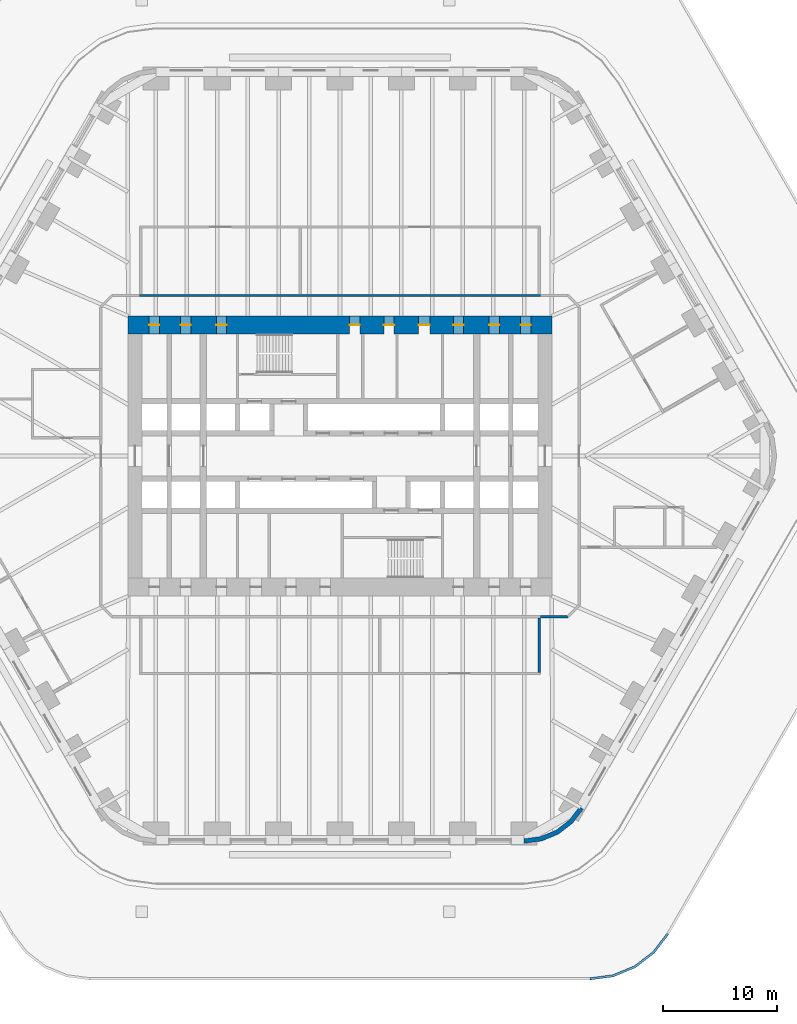
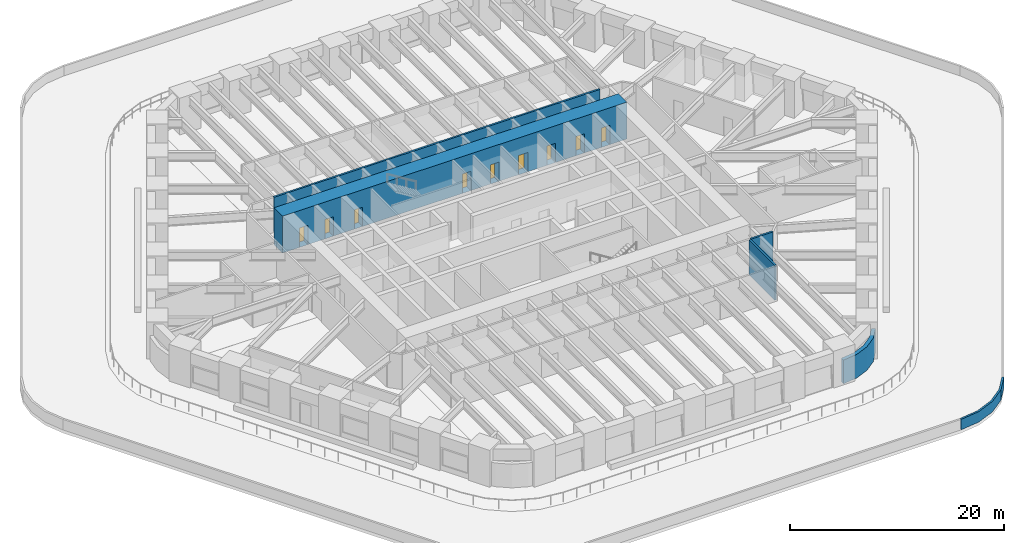
# One storey, part 11 of 17: 9 doors, 6 walls, 9 openings.
"""IFC4 building model written with IfcOpenShell, lengths in metres."""

from ifc_helpers import new_model, si_unit, direction, frame, frame_2d, origin, place, context, subcontext, project, spatial, polyline, rectangle, outline, extrude, material, layer, layer_set, type_object, element, fill, save


model = new_model("IFC4")

# Units and contexts
model_context = context("Model", 3, precision=1e-05, world=origin(), true_north=direction((0.0, 1.0)))
body_context = subcontext(model_context, "Body", "Model", "MODEL_VIEW")
ifc_project = project(units=[si_unit("LENGTHUNIT", "METRE"), si_unit("AREAUNIT", "SQUARE_METRE"), si_unit("VOLUMEUNIT", "CUBIC_METRE"), si_unit("PLANEANGLEUNIT", "RADIAN"), si_unit("MASSUNIT", "GRAM", prefix="KILO")], contexts=[model_context])

# Site, building, storey
site_placement = place(None, origin())
site = spatial("IfcSite", under=ifc_project, at=site_placement, CompositionType="ELEMENT")
building_placement = place(site_placement, origin())
building = spatial("IfcBuilding", under=site, at=building_placement, Name="Tarfa Lantern Tower", CompositionType="ELEMENT")
storey_placement = place(building_placement, frame((0.0, 0.0, 23.5)))
storey = spatial("IfcBuildingStorey", under=building, at=storey_placement, Name="L04", CompositionType="ELEMENT", Elevation=23.5)

# Walls
ifc_material_1 = material(Name="Limestone cladding on blockwork", Category="masonry")
ifc_layer_1 = layer(ifc_material_1, 0.39990234375)
ifc_layer_set_1 = layer_set([ifc_layer_1], Name="EW2 CURVED STONE CORNER 400")
wall_type_1 = type_object("IfcWallType", Name="EW2 CURVED STONE CORNER 400", PredefinedType="SOLIDWALL", material=ifc_layer_set_1)
wall_1_placement = place(storey_placement, origin())
element("IfcWall", 1, at=wall_1_placement, inside=storey, type_object=wall_type_1, Name="Stone corner S-SE", PredefinedType="SOLIDWALL", context=body_context, shape_type="SweptSolid", body=[
    extrude(outline(polyline([(16.165771484375, -34.0), (17.71875, -33.795654296875), (19.165771484375, -33.196044921875), (20.408447265625, -32.24267578125), (21.362060546875, -31.0), (21.015625, -30.800048828125), (20.12548828125, -31.959716796875), (18.9658203125, -32.849853515625), (17.615234375, -33.4091796875), (16.165771484375, -33.60009765625), (16.165771484375, -34.0)])), origin(), (0.0, 0.0, 1.0), 2.699951171875),
])
ifc_material_2 = material(Name="Gypsum board on steel studs", Category="steel")
ifc_layer_2 = layer(ifc_material_2, 0.2099609375)
ifc_layer_set_2 = layer_set([ifc_layer_2], Name="IW2 ACOUSTIC PARTITION 200")
wall_type_2 = type_object("IfcWallType", Name="IW2 ACOUSTIC PARTITION 200", PredefinedType="PARTITIONING", material=ifc_layer_set_2)
wall_2_placement = place(storey_placement, frame((-17.60009765625, 14.10009765625, 0.0), z_axis=(0.0, 0.0, 1.0), x_axis=(1.0, 0.0, 0.0)))
element("IfcWall", 2, at=wall_2_placement, inside=storey, type_object=wall_type_2, Name="Partition", PredefinedType="PARTITIONING", context=body_context, shape_type="SweptSolid", body=[
    extrude(rectangle(XDim=35.2001953125, YDim=0.199951171875, at=frame_2d((17.60009765625, 0.0))), origin(), (0.0, 0.0, 1.0), 4.0),
])
wall_3_placement = place(storey_placement, frame((17.5, -14.199951171875, 0.0), z_axis=(0.0, 0.0, 1.0), x_axis=(0.0, -1.0, 0.0)))
element("IfcWall", 3, at=wall_3_placement, inside=storey, type_object=wall_type_2, Name="Partition", PredefinedType="PARTITIONING", context=body_context, shape_type="SweptSolid", body=[
    extrude(rectangle(XDim=4.800048828125, YDim=0.199951171875, at=frame_2d((2.39990234375, 0.0))), origin(), (0.0, 0.0, 1.0), 4.0),
])
wall_4_placement = place(storey_placement, frame((20.0, -14.10009765625, 0.0), z_axis=(0.0, 0.0, 1.0), x_axis=(-1.0, 0.0, 0.0)))
element("IfcWall", 4, at=wall_4_placement, inside=storey, type_object=wall_type_2, Name="Partition", PredefinedType="PARTITIONING", context=body_context, shape_type="SweptSolid", body=[
    extrude(rectangle(XDim=2.39990234375, YDim=0.199951171875, at=frame_2d((1.199951171875, 0.0))), origin(), (0.0, 0.0, 1.0), 4.0),
])
ifc_layer_3 = layer(ifc_material_1, 0.199951171875)
ifc_layer_set_3 = layer_set([ifc_layer_3], Name="PP1 STONE PARAPET 200")
wall_type_3 = type_object("IfcWallType", Name="PP1 STONE PARAPET 200", PredefinedType="PARAPET", material=ifc_layer_set_3)
wall_5_placement = place(storey_placement, origin())
element("IfcWall", 5, at=wall_5_placement, inside=storey, type_object=wall_type_3, Name="Green roof parapet corner S-SE", PredefinedType="PARAPET", context=body_context, shape_type="SweptSolid", body=[
    extrude(outline(polyline([(21.939208984375, -46.0), (24.009765625, -45.727294921875), (25.939208984375, -44.92822265625), (27.59619140625, -43.65673828125), (28.867431640625, -42.0), (28.6943359375, -41.89990234375), (27.454833984375, -43.515380859375), (25.83935546875, -44.7548828125), (23.9580078125, -45.5341796875), (21.939208984375, -45.800048828125), (21.939208984375, -46.0)])), origin(), (0.0, 0.0, 1.0), 1.199951171875),
])

# Wall, openings, doors
ifc_material_3 = material(Name="Concrete C80/95", Category="concrete")
ifc_layer_4 = layer(ifc_material_3, 1.60009765625)
ifc_layer_set_4 = layer_set([ifc_layer_4], Name="SW7 CORE WALL 1600")
wall_type_4 = type_object("IfcWallType", Name="SW7 CORE WALL 1600", PredefinedType="SHEAR", material=ifc_layer_set_4)
wall_6_placement = place(storey_placement, frame((-18.60009765625, 11.5, 0.0), z_axis=(0.0, 0.0, 1.0), x_axis=(1.0, 0.0, 0.0)))
wall_6 = element("IfcWall", 6, at=wall_6_placement, inside=storey, type_object=wall_type_4, Name="Core wall N", PredefinedType="SHEAR", context=body_context, shape_type="SweptSolid", body=[
    extrude(rectangle(XDim=37.2001953125, YDim=1.60009765625, at=frame_2d((18.60009765625, 0.0))), origin(), (0.0, 0.0, 1.0), 4.199951171875),
])
opening_1_placement = place(wall_6_placement, frame((19.449951171875, 0.0, 0.0)))
opening_1 = element("IfcOpeningElement", 7, at=opening_1_placement, cuts=wall_6, Name="Opening D17", PredefinedType="OPENING", context=body_context, shape_type="SweptSolid", body=[
    extrude(rectangle(XDim=0.89990234375, YDim=2.199951171875, at=frame_2d((0.449951171875, 1.10009765625))), frame((0.0, 0.81005859375, 0.0), z_axis=(0.0, -1.0, 0.0), x_axis=(1.0, 0.0, 0.0)), (0.0, 0.0, 1.0), 1.6201171875),
])
opening_2_placement = place(wall_6_placement, frame((22.449951171875, 0.0, 0.0)))
opening_2 = element("IfcOpeningElement", 8, at=opening_2_placement, cuts=wall_6, Name="Opening D19", PredefinedType="OPENING", context=body_context, shape_type="SweptSolid", body=[
    extrude(rectangle(XDim=0.89990234375, YDim=2.199951171875, at=frame_2d((0.449951171875, 1.10009765625))), frame((0.0, 0.81005859375, 0.0), z_axis=(0.0, -1.0, 0.0), x_axis=(1.0, 0.0, 0.0)), (0.0, 0.0, 1.0), 1.6201171875),
])
opening_3_placement = place(wall_6_placement, frame((25.5, 0.0, 0.0)))
opening_3 = element("IfcOpeningElement", 9, at=opening_3_placement, cuts=wall_6, Name="Opening D21", PredefinedType="OPENING", context=body_context, shape_type="SweptSolid", body=[
    extrude(rectangle(XDim=1.0, YDim=2.199951171875, at=frame_2d((0.5, 1.10009765625))), frame((0.0, 0.81005859375, 0.0), z_axis=(0.0, -1.0, 0.0), x_axis=(1.0, 0.0, 0.0)), (0.0, 0.0, 1.0), 1.6201171875),
])
opening_4_placement = place(wall_6_placement, frame((1.85009765625, 0.0, 0.0)))
opening_4 = element("IfcOpeningElement", 10, at=opening_4_placement, cuts=wall_6, Name="Opening D11", PredefinedType="OPENING", context=body_context, shape_type="SweptSolid", body=[
    extrude(rectangle(XDim=0.89990234375, YDim=2.199951171875, at=frame_2d((0.449951171875, 1.10009765625))), frame((0.0, 0.81005859375, 0.0), z_axis=(0.0, -1.0, 0.0), x_axis=(1.0, 0.0, 0.0)), (0.0, 0.0, 1.0), 1.6201171875),
])
opening_5_placement = place(wall_6_placement, frame((4.60009765625, 0.0, 0.0)))
opening_5 = element("IfcOpeningElement", 11, at=opening_5_placement, cuts=wall_6, Name="Opening D07", PredefinedType="OPENING", context=body_context, shape_type="SweptSolid", body=[
    extrude(rectangle(XDim=0.89990234375, YDim=2.199951171875, at=frame_2d((0.449951171875, 1.10009765625))), frame((0.0, 0.81005859375, 0.0), z_axis=(0.0, -1.0, 0.0), x_axis=(1.0, 0.0, 0.0)), (0.0, 0.0, 1.0), 1.6201171875),
])
opening_6_placement = place(wall_6_placement, frame((7.75, 0.0, 0.0)))
opening_6 = element("IfcOpeningElement", 12, at=opening_6_placement, cuts=wall_6, Name="Opening D09", PredefinedType="OPENING", context=body_context, shape_type="SweptSolid", body=[
    extrude(rectangle(XDim=0.89990234375, YDim=2.199951171875, at=frame_2d((0.449951171875, 1.10009765625))), frame((0.0, 0.81005859375, 0.0), z_axis=(0.0, -1.0, 0.0), x_axis=(1.0, 0.0, 0.0)), (0.0, 0.0, 1.0), 1.6201171875),
])
opening_7_placement = place(wall_6_placement, frame((28.550048828125, 0.0, 0.0)))
opening_7 = element("IfcOpeningElement", 13, at=opening_7_placement, cuts=wall_6, Name="Opening D05", PredefinedType="OPENING", context=body_context, shape_type="SweptSolid", body=[
    extrude(rectangle(XDim=0.89990234375, YDim=2.199951171875, at=frame_2d((0.449951171875, 1.10009765625))), frame((0.0, 0.81005859375, 0.0), z_axis=(0.0, -1.0, 0.0), x_axis=(1.0, 0.0, 0.0)), (0.0, 0.0, 1.0), 1.6201171875),
])
opening_8_placement = place(wall_6_placement, frame((31.699951171875, 0.0, 0.0)))
opening_8 = element("IfcOpeningElement", 14, at=opening_8_placement, cuts=wall_6, Name="Opening D01", PredefinedType="OPENING", context=body_context, shape_type="SweptSolid", body=[
    extrude(rectangle(XDim=0.89990234375, YDim=2.199951171875, at=frame_2d((0.449951171875, 1.10009765625))), frame((0.0, 0.81005859375, 0.0), z_axis=(0.0, -1.0, 0.0), x_axis=(1.0, 0.0, 0.0)), (0.0, 0.0, 1.0), 1.6201171875),
])
opening_9_placement = place(wall_6_placement, frame((34.449951171875, 0.0, 0.0)))
opening_9 = element("IfcOpeningElement", 15, at=opening_9_placement, cuts=wall_6, Name="Opening D03", PredefinedType="OPENING", context=body_context, shape_type="SweptSolid", body=[
    extrude(rectangle(XDim=0.89990234375, YDim=2.199951171875, at=frame_2d((0.449951171875, 1.10009765625))), frame((0.0, 0.81005859375, 0.0), z_axis=(0.0, -1.0, 0.0), x_axis=(1.0, 0.0, 0.0)), (0.0, 0.0, 1.0), 1.6201171875),
])
ifc_material_4 = material(Name="Steel fire door", Category="steel")
door_type_1 = type_object("IfcDoorType", Name="DF3 CORE ROOM DOOR 900x2200", OperationType="SINGLE_SWING_LEFT", PredefinedType="DOOR", material=ifc_material_4)
door_1_placement = place(opening_1_placement, frame((0.89990234375, 0.0, 0.0), z_axis=(0.0, 0.0, 1.0), x_axis=(-1.0, 0.0, 0.0)))
door_1 = element("IfcDoor", 16, at=door_1_placement, inside=storey, type_object=door_type_1, Name="Core door", OperationType="SINGLE_SWING_RIGHT", OverallHeight=2.199951171875, OverallWidth=0.89990234375, PredefinedType="DOOR", context=body_context, shape_type="SweptSolid", body=[
    extrude(rectangle(XDim=0.89990234375, YDim=2.199951171875, at=frame_2d((0.449951171875, 1.10009765625))), frame((0.0, 0.02490234375, 0.0), z_axis=(0.0, -1.0, 0.0), x_axis=(1.0, 0.0, 0.0)), (0.0, 0.0, 1.0), 0.050048828125),
])
fill(opening_1, door_1)
door_2_placement = place(opening_2_placement, frame((0.89990234375, 0.0, 0.0), z_axis=(0.0, 0.0, 1.0), x_axis=(-1.0, 0.0, 0.0)))
door_2 = element("IfcDoor", 17, at=door_2_placement, inside=storey, type_object=door_type_1, Name="Core door", OperationType="SINGLE_SWING_RIGHT", OverallHeight=2.199951171875, OverallWidth=0.89990234375, PredefinedType="DOOR", context=body_context, shape_type="SweptSolid", body=[
    extrude(rectangle(XDim=0.89990234375, YDim=2.199951171875, at=frame_2d((0.449951171875, 1.10009765625))), frame((0.0, 0.02490234375, 0.0), z_axis=(0.0, -1.0, 0.0), x_axis=(1.0, 0.0, 0.0)), (0.0, 0.0, 1.0), 0.050048828125),
])
fill(opening_2, door_2)
door_type_2 = type_object("IfcDoorType", Name="DF4 CORE ROOM DOOR 1000x2200", OperationType="SINGLE_SWING_LEFT", PredefinedType="DOOR", material=ifc_material_4)
door_3_placement = place(opening_3_placement, frame((1.0, 0.0, 0.0), z_axis=(0.0, 0.0, 1.0), x_axis=(-1.0, 0.0, 0.0)))
door_3 = element("IfcDoor", 18, at=door_3_placement, inside=storey, type_object=door_type_2, Name="Core door", OperationType="SINGLE_SWING_RIGHT", OverallHeight=2.199951171875, OverallWidth=1.0, PredefinedType="DOOR", context=body_context, shape_type="SweptSolid", body=[
    extrude(rectangle(XDim=1.0, YDim=2.199951171875, at=frame_2d((0.5, 1.10009765625))), frame((0.0, 0.02490234375, 0.0), z_axis=(0.0, -1.0, 0.0), x_axis=(1.0, 0.0, 0.0)), (0.0, 0.0, 1.0), 0.050048828125),
])
fill(opening_3, door_3)
door_type_3 = type_object("IfcDoorType", Name="DF5 RISER DOOR 900x2200", OperationType="SINGLE_SWING_LEFT", PredefinedType="DOOR", material=ifc_material_4)
door_4_placement = place(opening_4_placement, frame((0.89990234375, 0.0, 0.0), z_axis=(0.0, 0.0, 1.0), x_axis=(-1.0, 0.0, 0.0)))
door_4 = element("IfcDoor", 19, at=door_4_placement, inside=storey, type_object=door_type_3, Name="Riser door", OperationType="SINGLE_SWING_LEFT", OverallHeight=2.199951171875, OverallWidth=0.89990234375, PredefinedType="DOOR", context=body_context, shape_type="SweptSolid", body=[
    extrude(rectangle(XDim=0.89990234375, YDim=2.199951171875, at=frame_2d((0.449951171875, 1.10009765625))), frame((0.0, 0.02490234375, 0.0), z_axis=(0.0, -1.0, 0.0), x_axis=(1.0, 0.0, 0.0)), (0.0, 0.0, 1.0), 0.050048828125),
])
fill(opening_4, door_4)
door_5_placement = place(opening_5_placement, frame((0.89990234375, 0.0, 0.0), z_axis=(0.0, 0.0, 1.0), x_axis=(-1.0, 0.0, 0.0)))
door_5 = element("IfcDoor", 20, at=door_5_placement, inside=storey, type_object=door_type_3, Name="Riser door", OperationType="SINGLE_SWING_LEFT", OverallHeight=2.199951171875, OverallWidth=0.89990234375, PredefinedType="DOOR", context=body_context, shape_type="SweptSolid", body=[
    extrude(rectangle(XDim=0.89990234375, YDim=2.199951171875, at=frame_2d((0.449951171875, 1.10009765625))), frame((0.0, 0.02490234375, 0.0), z_axis=(0.0, -1.0, 0.0), x_axis=(1.0, 0.0, 0.0)), (0.0, 0.0, 1.0), 0.050048828125),
])
fill(opening_5, door_5)
door_6_placement = place(opening_6_placement, frame((0.89990234375, 0.0, 0.0), z_axis=(0.0, 0.0, 1.0), x_axis=(-1.0, 0.0, 0.0)))
door_6 = element("IfcDoor", 21, at=door_6_placement, inside=storey, type_object=door_type_3, Name="Riser door", OperationType="SINGLE_SWING_LEFT", OverallHeight=2.199951171875, OverallWidth=0.89990234375, PredefinedType="DOOR", context=body_context, shape_type="SweptSolid", body=[
    extrude(rectangle(XDim=0.89990234375, YDim=2.199951171875, at=frame_2d((0.449951171875, 1.10009765625))), frame((0.0, 0.02490234375, 0.0), z_axis=(0.0, -1.0, 0.0), x_axis=(1.0, 0.0, 0.0)), (0.0, 0.0, 1.0), 0.050048828125),
])
fill(opening_6, door_6)
door_7_placement = place(opening_7_placement, frame((0.89990234375, 0.0, 0.0), z_axis=(0.0, 0.0, 1.0), x_axis=(-1.0, 0.0, 0.0)))
door_7 = element("IfcDoor", 22, at=door_7_placement, inside=storey, type_object=door_type_3, Name="Riser door", OperationType="SINGLE_SWING_RIGHT", OverallHeight=2.199951171875, OverallWidth=0.89990234375, PredefinedType="DOOR", context=body_context, shape_type="SweptSolid", body=[
    extrude(rectangle(XDim=0.89990234375, YDim=2.199951171875, at=frame_2d((0.449951171875, 1.10009765625))), frame((0.0, 0.02490234375, 0.0), z_axis=(0.0, -1.0, 0.0), x_axis=(1.0, 0.0, 0.0)), (0.0, 0.0, 1.0), 0.050048828125),
])
fill(opening_7, door_7)
door_8_placement = place(opening_8_placement, frame((0.89990234375, 0.0, 0.0), z_axis=(0.0, 0.0, 1.0), x_axis=(-1.0, 0.0, 0.0)))
door_8 = element("IfcDoor", 23, at=door_8_placement, inside=storey, type_object=door_type_3, Name="Riser door", OperationType="SINGLE_SWING_RIGHT", OverallHeight=2.199951171875, OverallWidth=0.89990234375, PredefinedType="DOOR", context=body_context, shape_type="SweptSolid", body=[
    extrude(rectangle(XDim=0.89990234375, YDim=2.199951171875, at=frame_2d((0.449951171875, 1.10009765625))), frame((0.0, 0.02490234375, 0.0), z_axis=(0.0, -1.0, 0.0), x_axis=(1.0, 0.0, 0.0)), (0.0, 0.0, 1.0), 0.050048828125),
])
fill(opening_8, door_8)
door_9_placement = place(opening_9_placement, frame((0.89990234375, 0.0, 0.0), z_axis=(0.0, 0.0, 1.0), x_axis=(-1.0, 0.0, 0.0)))
door_9 = element("IfcDoor", 24, at=door_9_placement, inside=storey, type_object=door_type_3, Name="Riser door", OperationType="SINGLE_SWING_RIGHT", OverallHeight=2.199951171875, OverallWidth=0.89990234375, PredefinedType="DOOR", context=body_context, shape_type="SweptSolid", body=[
    extrude(rectangle(XDim=0.89990234375, YDim=2.199951171875, at=frame_2d((0.449951171875, 1.10009765625))), frame((0.0, 0.02490234375, 0.0), z_axis=(0.0, -1.0, 0.0), x_axis=(1.0, 0.0, 0.0)), (0.0, 0.0, 1.0), 0.050048828125),
])
fill(opening_9, door_9)

save(model, "model.ifc")
